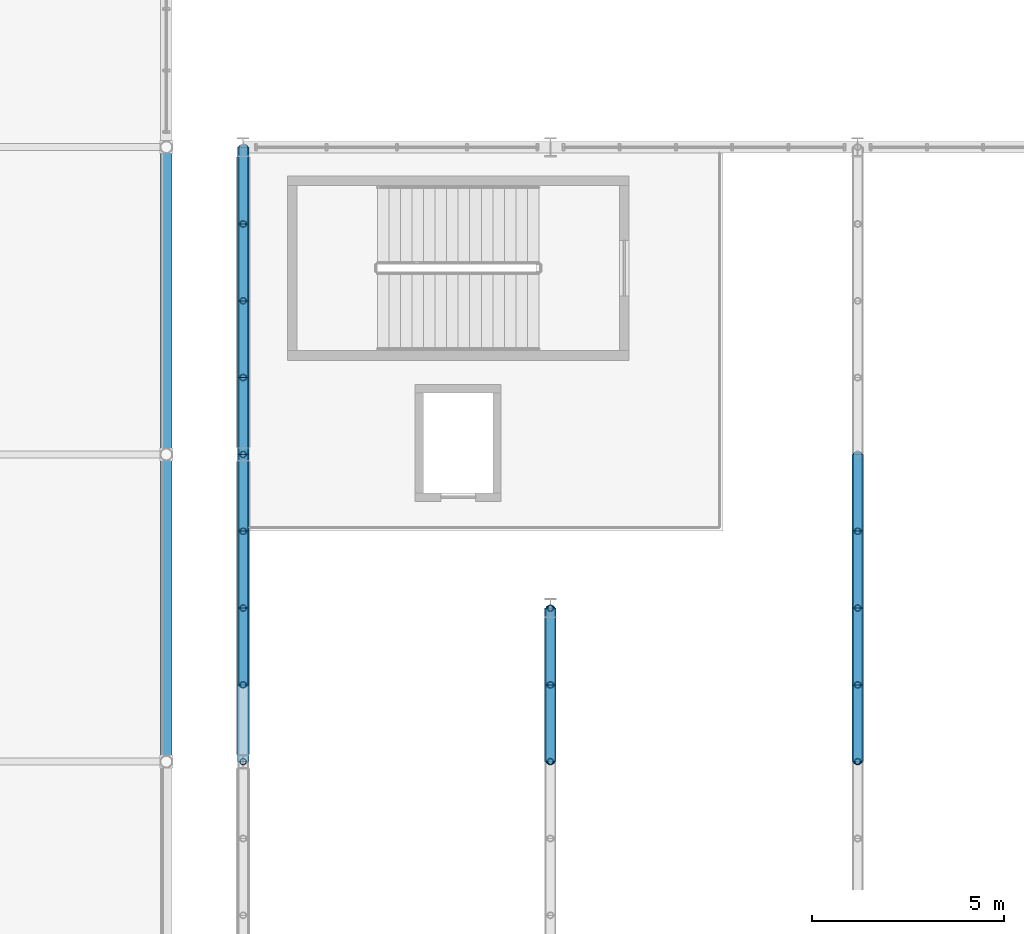
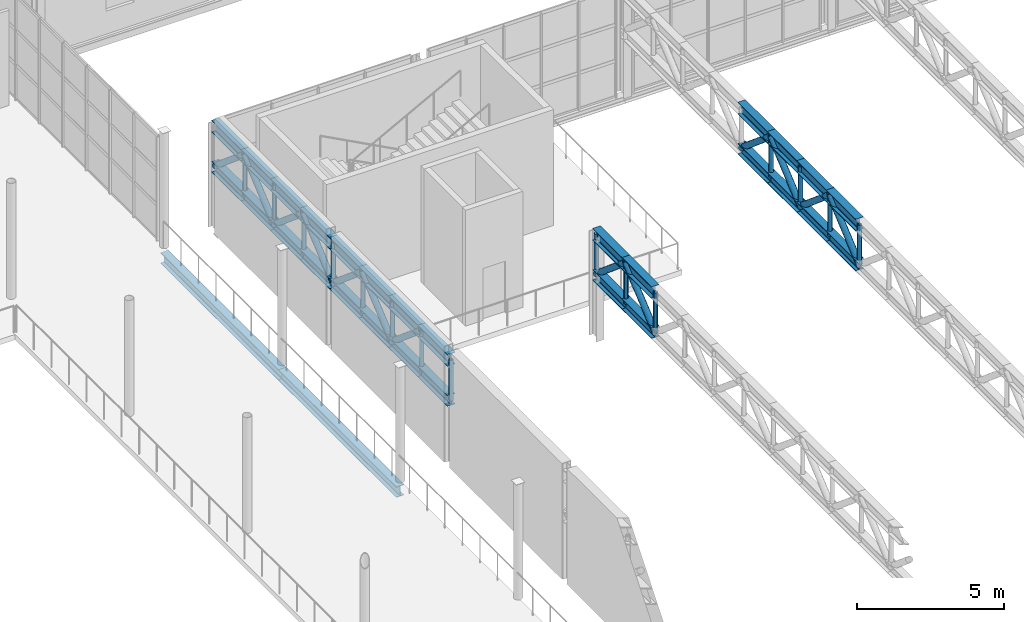
# One storey, part 49 of 143: 56 members, 2 beams.
"""IFC4 building model written with IfcOpenShell, lengths in metres."""

from ifc_helpers import new_model, si_unit, derived_unit, direction, frame, origin, origin_2d, place, context, subcontext, project, spatial, hollow_circle, i_section, extrude, material, material_profile, profile_set, type_object, element, save


model = new_model("IFC4")

# Units and contexts
model_context = context("Model", 3, precision=1e-05, world=origin(), true_north=direction((0.0, 1.0)))
body_context = subcontext(model_context, "Body", "Model", "MODEL_VIEW")
ifc_project = project(units=[si_unit("LENGTHUNIT", "METRE"), si_unit("AREAUNIT", "SQUARE_METRE"), si_unit("VOLUMEUNIT", "CUBIC_METRE"), si_unit("PLANEANGLEUNIT", "RADIAN"), si_unit("MASSUNIT", "GRAM", prefix="KILO"), derived_unit("THERMALTRANSMITTANCEUNIT", [(si_unit("POWERUNIT", "WATT"), 1), (si_unit("LENGTHUNIT", "METRE"), -2), (si_unit("THERMODYNAMICTEMPERATUREUNIT", "KELVIN"), -1)])], contexts=[model_context])

# Site, building, storey
site_placement = place(None, origin())
site = spatial("IfcSite", under=ifc_project, at=site_placement, CompositionType="ELEMENT")
building_placement = place(site_placement, origin())
building = spatial("IfcBuilding", under=site, at=building_placement, Name="Keldorne Ridge Multi-Sports Centre", CompositionType="ELEMENT")
storey_placement = place(building_placement, frame((0.0, 0.0, 4.800048828125)))
storey = spatial("IfcBuildingStorey", under=building, at=storey_placement, Name="L01", CompositionType="ELEMENT", Elevation=4.800048828125)

# Beams
ifc_material = material(Name="Steel S355", Category="steel")
ifc_material_profile_1 = material_profile(ifc_material, i_section(OverallWidth=0.300048828125, OverallDepth=0.449951171875, WebThickness=0.013916015625, FlangeThickness=0.02587890625, FilletRadius=0.027099609375, at=origin_2d()), Name="HEB 450")
ifc_profile_set_1 = profile_set([ifc_material_profile_1], Name="Steel S355")
beam_type = type_object("IfcBeamType", Name="BM-B-11", PredefinedType="BEAM", material=ifc_profile_set_1)
for number, where, z_axis, x_axis, name in (
    (1, (102.0, 38.0, -0.445068359375), (0.0, 1.0, 0.0), (-1.0, 0.0, 0.0), "L01 passage girder G15.5"),
    (2, (102.0, 46.0, -0.445068359375), (0.0, 1.0, 0.0), (-1.0, 0.0, 0.0), "L01 passage girder G15.6"),
):
    element("IfcBeam", number, at=place(storey_placement, frame(where, z_axis=z_axis, x_axis=x_axis)), inside=storey, type_object=beam_type, Name=name, PredefinedType="BEAM", context=body_context, shape_type="SweptSolid", body=[
        extrude(i_section(OverallWidth=0.300048828125, OverallDepth=0.449951171875, WebThickness=0.013916015625, FlangeThickness=0.02587890625, FilletRadius=0.027099609375, at=origin_2d()), origin(), (0.0, 0.0, 1.0), 8.0),
    ])

# Members
ifc_material_profile_2 = material_profile(ifc_material, i_section(OverallWidth=0.300048828125, OverallDepth=0.5, WebThickness=0.014404296875, FlangeThickness=0.028076171875, FilletRadius=0.027099609375, at=origin_2d()), Name="HEB 500")
ifc_profile_set_2 = profile_set([ifc_material_profile_2], Name="Steel S355")
member_type_1 = type_object("IfcMemberType", Name="MEM-TC-03", PredefinedType="CHORD", material=ifc_profile_set_2)
for number, where, z_axis, x_axis, name in (
    (3, (104.0, 38.0, 4.31005859375), (0.0, 1.0, 0.0), (-1.0, 0.0, 0.0), "Stacked Courts Warren TRUSS WT-L02-01 top chord 17"),
    (4, (104.0, 40.0, 4.31005859375), (0.0, 1.0, 0.0), (-1.0, 0.0, 0.0), "Stacked Courts Warren TRUSS WT-L02-01 top chord 18"),
    (5, (104.0, 42.0, 4.31005859375), (0.0, 1.0, 0.0), (-1.0, 0.0, 0.0), "Stacked Courts Warren TRUSS WT-L02-01 top chord 19"),
    (6, (104.0, 44.0, 4.31005859375), (0.0, 1.0, 0.0), (-1.0, 0.0, 0.0), "Stacked Courts Warren TRUSS WT-L02-01 top chord 20"),
    (7, (104.0, 46.0, 4.31005859375), (0.0, 1.0, 0.0), (-1.0, 0.0, 0.0), "Stacked Courts Warren TRUSS WT-L02-01 top chord 21"),
    (8, (104.0, 48.0, 4.31005859375), (0.0, 1.0, 0.0), (-1.0, 0.0, 0.0), "Stacked Courts Warren TRUSS WT-L02-01 top chord 22"),
    (9, (104.0, 50.0, 4.31005859375), (0.0, 1.0, 0.0), (-1.0, 0.0, 0.0), "Stacked Courts Warren TRUSS WT-L02-01 top chord 23"),
    (10, (104.0, 52.0, 4.31005859375), (0.0, 1.0, 0.0), (-1.0, 0.0, 0.0), "Stacked Courts Warren TRUSS WT-L02-01 top chord 24"),
    (11, (112.0, 38.0, 4.31005859375), (0.0, 1.0, 0.0), (-1.0, 0.0, 0.0), "Stacked Courts Warren TRUSS WT-L02-02 top chord 17"),
    (12, (112.0, 40.0, 4.31005859375), (0.0, 1.0, 0.0), (-1.0, 0.0, 0.0), "Stacked Courts Warren TRUSS WT-L02-02 top chord 18"),
    (13, (120.0, 38.0, 4.31005859375), (0.0, 1.0, 0.0), (-1.0, 0.0, 0.0), "Stacked Courts Warren TRUSS WT-L02-03 top chord 17"),
    (14, (120.0, 40.0, 4.31005859375), (0.0, 1.0, 0.0), (-1.0, 0.0, 0.0), "Stacked Courts Warren TRUSS WT-L02-03 top chord 18"),
    (15, (120.0, 42.0, 4.31005859375), (0.0, 1.0, 0.0), (-1.0, 0.0, 0.0), "Stacked Courts Warren TRUSS WT-L02-03 top chord 19"),
    (16, (120.0, 44.0, 4.31005859375), (0.0, 1.0, 0.0), (-1.0, 0.0, 0.0), "Stacked Courts Warren TRUSS WT-L02-03 top chord 20"),
):
    element("IfcMember", number, at=place(storey_placement, frame(where, z_axis=z_axis, x_axis=x_axis)), inside=storey, type_object=member_type_1, Name=name, PredefinedType="CHORD", context=body_context, shape_type="SweptSolid", body=[
        extrude(i_section(OverallWidth=0.300048828125, OverallDepth=0.5, WebThickness=0.014404296875, FlangeThickness=0.028076171875, FilletRadius=0.027099609375, at=origin_2d()), origin(), (0.0, 0.0, 1.0), 2.0),
    ])
ifc_material_profile_3 = material_profile(ifc_material, i_section(OverallWidth=0.300048828125, OverallDepth=0.449951171875, WebThickness=0.013916015625, FlangeThickness=0.02587890625, FilletRadius=0.027099609375, at=origin_2d()), Name="HEB 450")
ifc_profile_set_3 = profile_set([ifc_material_profile_3], Name="Steel S355")
member_type_2 = type_object("IfcMemberType", Name="MEM-TC-04", PredefinedType="CHORD", material=ifc_profile_set_3)
for number, where, z_axis, x_axis, name in (
    (17, (104.0, 38.0, 2.6298828125), (0.0, 1.0, 0.0), (-1.0, 0.0, 0.0), "Stacked Courts Warren TRUSS WT-L02-01 bottom chord 17"),
    (18, (104.0, 40.0, 2.6298828125), (0.0, 1.0, 0.0), (-1.0, 0.0, 0.0), "Stacked Courts Warren TRUSS WT-L02-01 bottom chord 18"),
    (19, (104.0, 42.0, 2.6298828125), (0.0, 1.0, 0.0), (-1.0, 0.0, 0.0), "Stacked Courts Warren TRUSS WT-L02-01 bottom chord 19"),
    (20, (104.0, 44.0, 2.6298828125), (0.0, 1.0, 0.0), (-1.0, 0.0, 0.0), "Stacked Courts Warren TRUSS WT-L02-01 bottom chord 20"),
    (21, (104.0, 46.0, 2.6298828125), (0.0, 1.0, 0.0), (-1.0, 0.0, 0.0), "Stacked Courts Warren TRUSS WT-L02-01 bottom chord 21"),
    (22, (104.0, 48.0, 2.6298828125), (0.0, 1.0, 0.0), (-1.0, 0.0, 0.0), "Stacked Courts Warren TRUSS WT-L02-01 bottom chord 22"),
    (23, (104.0, 50.0, 2.6298828125), (0.0, 1.0, 0.0), (-1.0, 0.0, 0.0), "Stacked Courts Warren TRUSS WT-L02-01 bottom chord 23"),
    (24, (104.0, 52.0, 2.6298828125), (0.0, 1.0, 0.0), (-1.0, 0.0, 0.0), "Stacked Courts Warren TRUSS WT-L02-01 bottom chord 24"),
    (25, (112.0, 38.0, 2.6298828125), (0.0, 1.0, 0.0), (-1.0, 0.0, 0.0), "Stacked Courts Warren TRUSS WT-L02-02 bottom chord 17"),
    (26, (112.0, 40.0, 2.6298828125), (0.0, 1.0, 0.0), (-1.0, 0.0, 0.0), "Stacked Courts Warren TRUSS WT-L02-02 bottom chord 18"),
    (27, (120.0, 38.0, 2.6298828125), (0.0, 1.0, 0.0), (-1.0, 0.0, 0.0), "Stacked Courts Warren TRUSS WT-L02-03 bottom chord 17"),
    (28, (120.0, 40.0, 2.6298828125), (0.0, 1.0, 0.0), (-1.0, 0.0, 0.0), "Stacked Courts Warren TRUSS WT-L02-03 bottom chord 18"),
    (29, (120.0, 42.0, 2.6298828125), (0.0, 1.0, 0.0), (-1.0, 0.0, 0.0), "Stacked Courts Warren TRUSS WT-L02-03 bottom chord 19"),
    (30, (120.0, 44.0, 2.6298828125), (0.0, 1.0, 0.0), (-1.0, 0.0, 0.0), "Stacked Courts Warren TRUSS WT-L02-03 bottom chord 20"),
):
    element("IfcMember", number, at=place(storey_placement, frame(where, z_axis=z_axis, x_axis=x_axis)), inside=storey, type_object=member_type_2, Name=name, PredefinedType="CHORD", context=body_context, shape_type="SweptSolid", body=[
        extrude(i_section(OverallWidth=0.300048828125, OverallDepth=0.449951171875, WebThickness=0.013916015625, FlangeThickness=0.02587890625, FilletRadius=0.027099609375, at=origin_2d()), origin(), (0.0, 0.0, 1.0), 2.0),
    ])
ifc_material_profile_4 = material_profile(ifc_material, hollow_circle(Radius=0.122314453125, WallThickness=0.012451171875, at=origin_2d()), Name="CHS 244.5x12.5")
ifc_profile_set_4 = profile_set([ifc_material_profile_4], Name="Steel S355")
member_type_3 = type_object("IfcMemberType", Name="MEM-TD-02", PredefinedType="BRACE", material=ifc_profile_set_4)
for number, where, z_axis, x_axis, name in (
    (31, (104.0, 40.0, 4.31005859375), (0.0, 0.765671721121, -0.643231541108), (-1.0, 0.0, 0.0), "Stacked Courts Warren TRUSS WT-L02-01 diagonal 18"),
    (32, (104.0, 42.0, 2.6298828125), (0.0, 0.765671721121, 0.643231541108), (-1.0, 0.0, 0.0), "Stacked Courts Warren TRUSS WT-L02-01 diagonal 19"),
    (33, (104.0, 44.0, 4.31005859375), (0.0, 0.765671721121, -0.643231541108), (-1.0, 0.0, 0.0), "Stacked Courts Warren TRUSS WT-L02-01 diagonal 20"),
    (34, (104.0, 46.0, 2.6298828125), (0.0, 0.765671721121, 0.643231541108), (-1.0, 0.0, 0.0), "Stacked Courts Warren TRUSS WT-L02-01 diagonal 21"),
    (35, (104.0, 48.0, 4.31005859375), (0.0, 0.765671721121, -0.643231541108), (-1.0, 0.0, 0.0), "Stacked Courts Warren TRUSS WT-L02-01 diagonal 22"),
    (36, (104.0, 50.0, 2.6298828125), (0.0, 0.765671721121, 0.643231541108), (-1.0, 0.0, 0.0), "Stacked Courts Warren TRUSS WT-L02-01 diagonal 23"),
    (37, (104.0, 52.0, 4.31005859375), (0.0, 0.765671721121, -0.643231541108), (-1.0, 0.0, 0.0), "Stacked Courts Warren TRUSS WT-L02-01 diagonal 24"),
    (38, (112.0, 38.0, 2.6298828125), (0.0, 0.765671721121, 0.643231541108), (-1.0, 0.0, 0.0), "Stacked Courts Warren TRUSS WT-L02-02 diagonal 17"),
    (39, (112.0, 40.0, 4.31005859375), (0.0, 0.765671721121, -0.643231541108), (-1.0, 0.0, 0.0), "Stacked Courts Warren TRUSS WT-L02-02 diagonal 18"),
    (40, (120.0, 38.0, 2.6298828125), (0.0, 0.765671721121, 0.643231541108), (-1.0, 0.0, 0.0), "Stacked Courts Warren TRUSS WT-L02-03 diagonal 17"),
    (41, (120.0, 40.0, 4.31005859375), (0.0, 0.765671721121, -0.643231541108), (-1.0, 0.0, 0.0), "Stacked Courts Warren TRUSS WT-L02-03 diagonal 18"),
    (42, (120.0, 42.0, 2.6298828125), (0.0, 0.765671721121, 0.643231541108), (-1.0, 0.0, 0.0), "Stacked Courts Warren TRUSS WT-L02-03 diagonal 19"),
    (43, (120.0, 44.0, 4.31005859375), (0.0, 0.765671721121, -0.643231541108), (-1.0, 0.0, 0.0), "Stacked Courts Warren TRUSS WT-L02-03 diagonal 20"),
):
    element("IfcMember", number, at=place(storey_placement, frame(where, z_axis=z_axis, x_axis=x_axis)), inside=storey, type_object=member_type_3, Name=name, PredefinedType="BRACE", context=body_context, shape_type="SweptSolid", body=[
        extrude(hollow_circle(Radius=0.122314453125, WallThickness=0.012451171875, at=origin_2d()), origin(), (0.0, 0.0, 1.0), 2.612060546875),
    ])
ifc_material_profile_5 = material_profile(ifc_material, hollow_circle(Radius=0.084228515625, WallThickness=0.010009765625, at=origin_2d()), Name="CHS 168.3x10")
ifc_profile_set_5 = profile_set([ifc_material_profile_5], Name="Steel S355")
member_type_4 = type_object("IfcMemberType", Name="MEM-TV-01", PredefinedType="STRUT", material=ifc_profile_set_5)
for number, where, z_axis, x_axis, name in (
    (44, (104.0, 38.0, 2.6298828125), (0.0, 0.0, 1.0), (1.0, 0.0, 0.0), "Stacked Courts Warren TRUSS WT-L02-01 post 17"),
    (45, (104.0, 40.0, 2.6298828125), (0.0, 0.0, 1.0), (1.0, 0.0, 0.0), "Stacked Courts Warren TRUSS WT-L02-01 post 18"),
    (46, (104.0, 42.0, 2.6298828125), (0.0, 0.0, 1.0), (1.0, 0.0, 0.0), "Stacked Courts Warren TRUSS WT-L02-01 post 19"),
    (47, (104.0, 44.0, 2.6298828125), (0.0, 0.0, 1.0), (1.0, 0.0, 0.0), "Stacked Courts Warren TRUSS WT-L02-01 post 20"),
    (48, (104.0, 46.0, 2.6298828125), (0.0, 0.0, 1.0), (1.0, 0.0, 0.0), "Stacked Courts Warren TRUSS WT-L02-01 post 21"),
    (49, (104.0, 48.0, 2.6298828125), (0.0, 0.0, 1.0), (1.0, 0.0, 0.0), "Stacked Courts Warren TRUSS WT-L02-01 post 22"),
    (50, (104.0, 50.0, 2.6298828125), (0.0, 0.0, 1.0), (1.0, 0.0, 0.0), "Stacked Courts Warren TRUSS WT-L02-01 post 23"),
    (51, (104.0, 52.0, 2.6298828125), (0.0, 0.0, 1.0), (1.0, 0.0, 0.0), "Stacked Courts Warren TRUSS WT-L02-01 post 24"),
    (52, (112.0, 38.0, 2.6298828125), (0.0, 0.0, 1.0), (1.0, 0.0, 0.0), "Stacked Courts Warren TRUSS WT-L02-02 post 17"),
    (53, (112.0, 40.0, 2.6298828125), (0.0, 0.0, 1.0), (1.0, 0.0, 0.0), "Stacked Courts Warren TRUSS WT-L02-02 post 18"),
    (54, (112.0, 42.0, 2.6298828125), (0.0, 0.0, 1.0), (1.0, 0.0, 0.0), "Stacked Courts Warren TRUSS WT-L02-02 end post 18"),
    (55, (120.0, 38.0, 2.6298828125), (0.0, 0.0, 1.0), (1.0, 0.0, 0.0), "Stacked Courts Warren TRUSS WT-L02-03 post 17"),
    (56, (120.0, 40.0, 2.6298828125), (0.0, 0.0, 1.0), (1.0, 0.0, 0.0), "Stacked Courts Warren TRUSS WT-L02-03 post 18"),
    (57, (120.0, 42.0, 2.6298828125), (0.0, 0.0, 1.0), (1.0, 0.0, 0.0), "Stacked Courts Warren TRUSS WT-L02-03 post 19"),
    (58, (120.0, 44.0, 2.6298828125), (0.0, 0.0, 1.0), (1.0, 0.0, 0.0), "Stacked Courts Warren TRUSS WT-L02-03 post 20"),
):
    element("IfcMember", number, at=place(storey_placement, frame(where, z_axis=z_axis, x_axis=x_axis)), inside=storey, type_object=member_type_4, Name=name, PredefinedType="STRUT", context=body_context, shape_type="SweptSolid", body=[
        extrude(hollow_circle(Radius=0.084228515625, WallThickness=0.010009765625, at=origin_2d()), origin(), (0.0, 0.0, 1.0), 1.68017578125),
    ])

save(model, "model.ifc")
